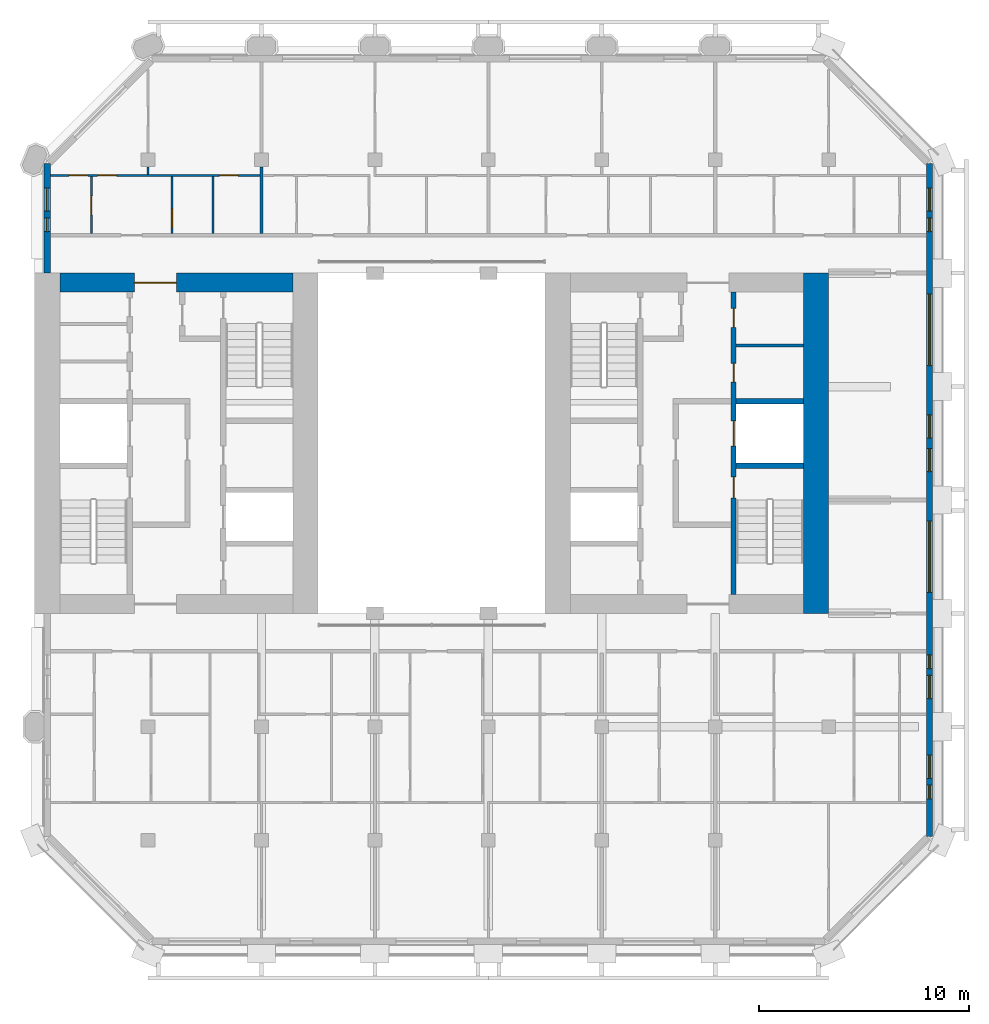
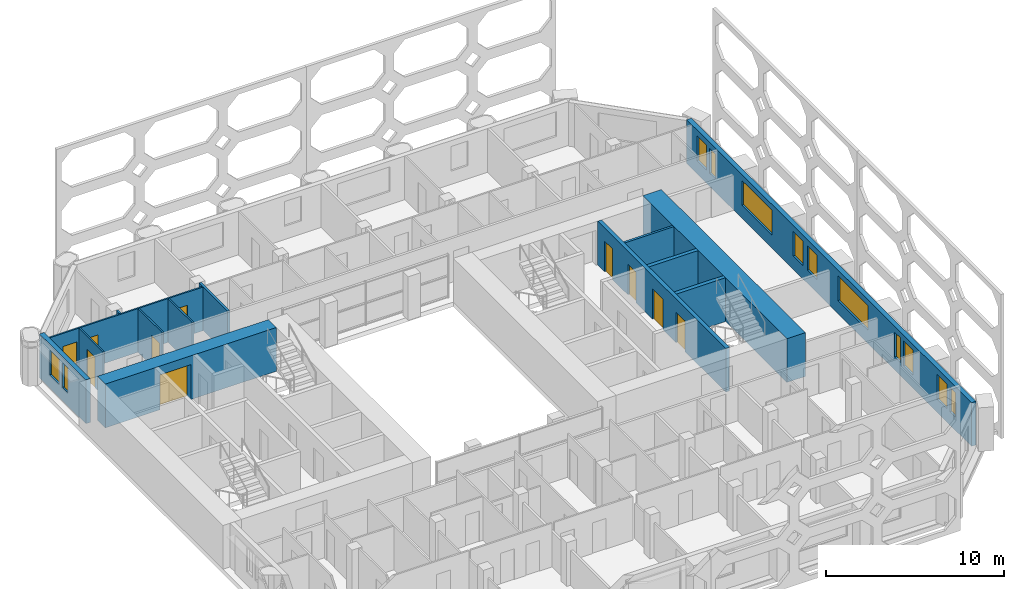
# One storey, part 9 of 15: 14 walls, 12 windows, 10 doors, 22 openings.
"""IFC4 building model written with IfcOpenShell, lengths in metres."""

from ifc_helpers import new_model, si_unit, direction, frame, frame_2d, origin, place, context, subcontext, project, spatial, rectangle, extrude, material, layer, layer_set, type_object, element, fill, save


model = new_model("IFC4")

# Units and contexts
model_context = context("Model", 3, precision=1e-05, world=origin(), true_north=direction((0.0, 1.0)))
body_context = subcontext(model_context, "Body", "Model", "MODEL_VIEW")
ifc_project = project(units=[si_unit("LENGTHUNIT", "METRE"), si_unit("AREAUNIT", "SQUARE_METRE"), si_unit("VOLUMEUNIT", "CUBIC_METRE"), si_unit("PLANEANGLEUNIT", "RADIAN"), si_unit("MASSUNIT", "GRAM", prefix="KILO")], contexts=[model_context])

# Site, building, storey
site_placement = place(None, origin())
site = spatial("IfcSite", under=ifc_project, at=site_placement, CompositionType="ELEMENT")
building_placement = place(site_placement, origin())
building = spatial("IfcBuilding", under=site, at=building_placement, Name="Tabaq Tower and Sports Hall", CompositionType="ELEMENT")
storey_placement = place(building_placement, frame((0.0, 0.0, 278.5)))
storey = spatial("IfcBuildingStorey", under=building, at=storey_placement, Name="L68", CompositionType="ELEMENT", Elevation=278.5)

# Walls
ifc_material_1 = material(Name="Blockwork", Category="masonry")
ifc_layer_1 = layer(ifc_material_1, 0.14990234375)
ifc_layer_set_1 = layer_set([ifc_layer_1], Name="Core room partition 150 Blockwork")
wall_type_1 = type_object("IfcWallType", Name="Core room partition 150 Blockwork", PredefinedType="PARTITIONING", material=ifc_layer_set_1)
wall_1_placement = place(storey_placement, frame((38.800048828125, 28.962890625, 0.0), z_axis=(0.0, 0.0, 1.0), x_axis=(1.0, 0.0, 0.0)))
element("IfcWall", 1, at=wall_1_placement, inside=storey, type_object=wall_type_1, Name="Core room partition E L68", PredefinedType="PARTITIONING", context=body_context, shape_type="SweptSolid", body=[
    extrude(rectangle(XDim=3.199951171875, YDim=0.14990234375, at=frame_2d((1.60009765625, 0.0))), origin(), (0.0, 0.0, 1.0), 3.0),
])
ifc_material_2 = material(Name="Concrete C40/50", Category="concrete")
ifc_layer_2 = layer(ifc_material_2, 1.199951171875)
ifc_layer_set_2 = layer_set([ifc_layer_2], Name="Core wall 1200 Concrete C40/50")
wall_type_2 = type_object("IfcWallType", Name="Core wall 1200 Concrete C40/50", PredefinedType="SOLIDWALL", material=ifc_layer_set_2)
wall_2_placement = place(storey_placement, frame((42.60009765625, 32.39990234375, 0.0), z_axis=(0.0, 0.0, 1.0), x_axis=(0.0, -1.0, 0.0)))
element("IfcWall", 2, at=wall_2_placement, inside=storey, type_object=wall_type_2, Name="Core wall E L68", PredefinedType="SOLIDWALL", context=body_context, shape_type="SweptSolid", body=[
    extrude(rectangle(XDim=16.199951171875, YDim=1.199951171875, at=frame_2d((8.10009765625, 0.0))), origin(), (0.0, 0.0, 1.0), 3.0),
])

# Wall, opening, door
ifc_material_3 = material(Name="Concrete C40/50", Category="concrete")
ifc_layer_3 = layer(ifc_material_3, 0.89990234375)
ifc_layer_set_3 = layer_set([ifc_layer_3], Name="Core wall 900 Concrete C40/50")
wall_type_3 = type_object("IfcWallType", Name="Core wall 900 Concrete C40/50", PredefinedType="SOLIDWALL", material=ifc_layer_set_3)
wall_3_placement = place(storey_placement, frame((6.60009765625, 31.949951171875, 0.0), z_axis=(0.0, 0.0, 1.0), x_axis=(1.0, 0.0, 0.0)))
wall_3 = element("IfcWall", 3, at=wall_3_placement, inside=storey, type_object=wall_type_3, Name="Core wall W L68", PredefinedType="SOLIDWALL", context=body_context, shape_type="SweptSolid", body=[
    extrude(rectangle(XDim=11.099853515625, YDim=0.89990234375, at=frame_2d((5.5498046875, 0.0))), origin(), (0.0, 0.0, 1.0), 3.0),
])
opening_1_placement = place(wall_3_placement, frame((3.550048828125, 0.0, 0.0)))
opening_1 = element("IfcOpeningElement", 4, at=opening_1_placement, cuts=wall_3, Name="Opening PD-WL68-02", PredefinedType="OPENING", context=body_context, shape_type="SweptSolid", body=[
    extrude(rectangle(XDim=2.0, YDim=2.39990234375, at=frame_2d((1.0, 1.199951171875))), frame((0.0, 0.449951171875, 0.0), z_axis=(0.0, -1.0, 0.0), x_axis=(1.0, 0.0, 0.0)), (0.0, 0.0, 1.0), 0.89990234375),
])
ifc_material_4 = material(Name="Steel fire door", Category="steel")
door_type_1 = type_object("IfcDoorType", Name="Core entrance door 2000", OperationType="DOUBLE_DOOR_SINGLE_SWING", PredefinedType="DOOR", material=ifc_material_4)
door_1_placement = place(opening_1_placement, origin())
door_1 = element("IfcDoor", 5, at=door_1_placement, inside=storey, type_object=door_type_1, Name="Core entrance north W L68", OperationType="DOUBLE_DOOR_SINGLE_SWING", OverallHeight=2.39990234375, OverallWidth=2.0, PredefinedType="DOOR", context=body_context, shape_type="SweptSolid", body=[
    extrude(rectangle(XDim=2.0, YDim=2.39990234375, at=frame_2d((1.0, 1.199951171875))), frame((0.0, 0.02490234375, 0.0), z_axis=(0.0, -1.0, 0.0), x_axis=(1.0, 0.0, 0.0)), (0.0, 0.0, 1.0), 0.050048828125),
])
fill(opening_1, door_1)

# Wall
ifc_material_5 = material(Name="Gypsum board on steel studs", Category="steel")
ifc_layer_4 = layer(ifc_material_5, 0.10009765625)
ifc_layer_set_4 = layer_set([ifc_layer_4], Name="Partition 100 Gypsum board")
wall_type_4 = type_object("IfcWallType", Name="Partition 100 Gypsum board", PredefinedType="PARTITIONING", material=ifc_layer_set_4)
wall_4_placement = place(storey_placement, frame((10.800048828125, 37.10009765625, 0.0), z_axis=(0.0, 0.0, 1.0), x_axis=(0.0, 1.0, 0.0)))
element("IfcWall", 6, at=wall_4_placement, inside=storey, type_object=wall_type_4, Name="Partition wall L68", PredefinedType="PARTITIONING", context=body_context, shape_type="SweptSolid", body=[
    extrude(rectangle(XDim=0.35498046875, YDim=0.10009765625, at=frame_2d((0.177490234375, 0.0))), origin(), (0.0, 0.0, 1.0), 3.0),
])

# Wall, openings, doors
wall_5_placement = place(storey_placement, frame((6.15087890625, 37.050048828125, 0.0), z_axis=(0.0, 0.0, 1.0), x_axis=(1.0, 0.0, 0.0)))
wall_5 = element("IfcWall", 7, at=wall_5_placement, inside=storey, type_object=wall_type_4, Name="Partition wall L68", PredefinedType="PARTITIONING", context=body_context, shape_type="SweptSolid", body=[
    extrude(rectangle(XDim=9.97412109375, YDim=0.10009765625, at=frame_2d((4.987060546875, 0.0))), origin(), (0.0, 0.0, 1.0), 3.0),
])
opening_2_placement = place(wall_5_placement, frame((8.0390625, 0.0, 0.0)))
opening_2 = element("IfcOpeningElement", 8, at=opening_2_placement, cuts=wall_5, Name="Opening L68-001", PredefinedType="OPENING", context=body_context, shape_type="SweptSolid", body=[
    extrude(rectangle(XDim=0.89990234375, YDim=2.10009765625, at=frame_2d((0.449951171875, 1.050048828125))), frame((0.0, 0.050048828125, 0.0), z_axis=(0.0, -1.0, 0.0), x_axis=(1.0, 0.0, 0.0)), (0.0, 0.0, 1.0), 0.10009765625),
])
opening_3_placement = place(wall_5_placement, frame((0.87890625, 0.0, 0.0)))
opening_3 = element("IfcOpeningElement", 9, at=opening_3_placement, cuts=wall_5, Name="Opening L68-025", PredefinedType="OPENING", context=body_context, shape_type="SweptSolid", body=[
    extrude(rectangle(XDim=0.89990234375, YDim=2.10009765625, at=frame_2d((0.449951171875, 1.050048828125))), frame((0.0, 0.050048828125, 0.0), z_axis=(0.0, -1.0, 0.0), x_axis=(1.0, 0.0, 0.0)), (0.0, 0.0, 1.0), 0.10009765625),
])
opening_4_placement = place(wall_5_placement, frame((2.2490234375, 0.0, 0.0)))
opening_4 = element("IfcOpeningElement", 10, at=opening_4_placement, cuts=wall_5, Name="Opening L68-050", PredefinedType="OPENING", context=body_context, shape_type="SweptSolid", body=[
    extrude(rectangle(XDim=0.89990234375, YDim=2.10009765625, at=frame_2d((0.449951171875, 1.050048828125))), frame((0.0, 0.050048828125, 0.0), z_axis=(0.0, -1.0, 0.0), x_axis=(1.0, 0.0, 0.0)), (0.0, 0.0, 1.0), 0.10009765625),
])
ifc_material_6 = material(Name="Timber leaf in steel frame", Category="steel")
door_type_2 = type_object("IfcDoorType", Name="Internal door 900 left hand", OperationType="SINGLE_SWING_LEFT", PredefinedType="DOOR", material=ifc_material_6)
door_2_placement = place(opening_2_placement, origin())
door_2 = element("IfcDoor", 11, at=door_2_placement, inside=storey, type_object=door_type_2, Name="Internal door L68-001", OperationType="SINGLE_SWING_LEFT", OverallHeight=2.10009765625, OverallWidth=0.89990234375, PredefinedType="DOOR", context=body_context, shape_type="SweptSolid", body=[
    extrude(rectangle(XDim=0.89990234375, YDim=2.10009765625, at=frame_2d((0.449951171875, 1.050048828125))), frame((0.0, 0.02490234375, 0.0), z_axis=(0.0, -1.0, 0.0), x_axis=(1.0, 0.0, 0.0)), (0.0, 0.0, 1.0), 0.050048828125),
])
fill(opening_2, door_2)
door_3_placement = place(opening_4_placement, origin())
door_3 = element("IfcDoor", 12, at=door_3_placement, inside=storey, type_object=door_type_2, Name="Internal door L68-050", OperationType="SINGLE_SWING_LEFT", OverallHeight=2.10009765625, OverallWidth=0.89990234375, PredefinedType="DOOR", context=body_context, shape_type="SweptSolid", body=[
    extrude(rectangle(XDim=0.89990234375, YDim=2.10009765625, at=frame_2d((0.449951171875, 1.050048828125))), frame((0.0, 0.02490234375, 0.0), z_axis=(0.0, -1.0, 0.0), x_axis=(1.0, 0.0, 0.0)), (0.0, 0.0, 1.0), 0.050048828125),
])
fill(opening_4, door_3)
ifc_material_7 = material(Name="Timber leaf in steel frame", Category="steel")
door_type_3 = type_object("IfcDoorType", Name="Internal door 900 right hand", OperationType="SINGLE_SWING_RIGHT", PredefinedType="DOOR", material=ifc_material_7)
door_4_placement = place(opening_3_placement, origin())
door_4 = element("IfcDoor", 13, at=door_4_placement, inside=storey, type_object=door_type_3, Name="Internal door L68-025", OperationType="SINGLE_SWING_RIGHT", OverallHeight=2.10009765625, OverallWidth=0.89990234375, PredefinedType="DOOR", context=body_context, shape_type="SweptSolid", body=[
    extrude(rectangle(XDim=0.89990234375, YDim=2.10009765625, at=frame_2d((0.449951171875, 1.050048828125))), frame((0.0, 0.02490234375, 0.0), z_axis=(0.0, -1.0, 0.0), x_axis=(1.0, 0.0, 0.0)), (0.0, 0.0, 1.0), 0.050048828125),
])
fill(opening_3, door_4)

# Wall, opening, door
wall_6_placement = place(storey_placement, frame((8.10009765625, 34.27490234375, 0.0), z_axis=(0.0, 0.0, 1.0), x_axis=(0.0, 1.0, 0.0)))
wall_6 = element("IfcWall", 14, at=wall_6_placement, inside=storey, type_object=wall_type_4, Name="Partition wall L68", PredefinedType="PARTITIONING", context=body_context, shape_type="SweptSolid", body=[
    extrude(rectangle(XDim=2.72509765625, YDim=0.10009765625, at=frame_2d((1.362548828125, 0.0))), origin(), (0.0, 0.0, 1.0), 3.0),
])
opening_5_placement = place(wall_6_placement, frame((0.89990234375, 0.0, 0.0)))
opening_5 = element("IfcOpeningElement", 15, at=opening_5_placement, cuts=wall_6, Name="Opening L68-026", PredefinedType="OPENING", context=body_context, shape_type="SweptSolid", body=[
    extrude(rectangle(XDim=0.89990234375, YDim=2.10009765625, at=frame_2d((0.449951171875, 1.050048828125))), frame((0.0, 0.050048828125, 0.0), z_axis=(0.0, -1.0, 0.0), x_axis=(1.0, 0.0, 0.0)), (0.0, 0.0, 1.0), 0.10009765625),
])
door_5_placement = place(opening_5_placement, origin())
door_5 = element("IfcDoor", 16, at=door_5_placement, inside=storey, type_object=door_type_2, Name="Internal door L68-026", OperationType="SINGLE_SWING_LEFT", OverallHeight=2.10009765625, OverallWidth=0.89990234375, PredefinedType="DOOR", context=body_context, shape_type="SweptSolid", body=[
    extrude(rectangle(XDim=0.89990234375, YDim=2.10009765625, at=frame_2d((0.449951171875, 1.050048828125))), frame((0.0, 0.02490234375, 0.0), z_axis=(0.0, -1.0, 0.0), x_axis=(1.0, 0.0, 0.0)), (0.0, 0.0, 1.0), 0.050048828125),
])
fill(opening_5, door_5)

wall_7_placement = place(storey_placement, frame((11.93994140625, 34.27490234375, 0.0), z_axis=(0.0, 0.0, 1.0), x_axis=(0.0, 1.0, 0.0)))
wall_7 = element("IfcWall", 17, at=wall_7_placement, inside=storey, type_object=wall_type_4, Name="Partition wall L68", PredefinedType="PARTITIONING", context=body_context, shape_type="SweptSolid", body=[
    extrude(rectangle(XDim=2.72509765625, YDim=0.10009765625, at=frame_2d((1.362548828125, 0.0))), origin(), (0.0, 0.0, 1.0), 3.0),
])
opening_6_placement = place(wall_7_placement, frame((0.281005859375, 0.0, 0.0)))
opening_6 = element("IfcOpeningElement", 18, at=opening_6_placement, cuts=wall_7, Name="Opening L68-002", PredefinedType="OPENING", context=body_context, shape_type="SweptSolid", body=[
    extrude(rectangle(XDim=0.89990234375, YDim=2.10009765625, at=frame_2d((0.449951171875, 1.050048828125))), frame((0.0, 0.050048828125, 0.0), z_axis=(0.0, -1.0, 0.0), x_axis=(1.0, 0.0, 0.0)), (0.0, 0.0, 1.0), 0.10009765625),
])
door_6_placement = place(opening_6_placement, origin())
door_6 = element("IfcDoor", 19, at=door_6_placement, inside=storey, type_object=door_type_2, Name="Internal door L68-002", OperationType="SINGLE_SWING_LEFT", OverallHeight=2.10009765625, OverallWidth=0.89990234375, PredefinedType="DOOR", context=body_context, shape_type="SweptSolid", body=[
    extrude(rectangle(XDim=0.89990234375, YDim=2.10009765625, at=frame_2d((0.449951171875, 1.050048828125))), frame((0.0, 0.02490234375, 0.0), z_axis=(0.0, -1.0, 0.0), x_axis=(1.0, 0.0, 0.0)), (0.0, 0.0, 1.0), 0.050048828125),
])
fill(opening_6, door_6)

# Walls
wall_8_placement = place(storey_placement, frame((13.889892578125, 34.27490234375, 0.0), z_axis=(0.0, 0.0, 1.0), x_axis=(0.0, 1.0, 0.0)))
element("IfcWall", 20, at=wall_8_placement, inside=storey, type_object=wall_type_4, Name="Partition wall L68", PredefinedType="PARTITIONING", context=body_context, shape_type="SweptSolid", body=[
    extrude(rectangle(XDim=2.72509765625, YDim=0.10009765625, at=frame_2d((1.362548828125, 0.0))), origin(), (0.0, 0.0, 1.0), 3.0),
])
ifc_material_8 = material(Name="Blockwork", Category="masonry")
ifc_layer_5 = layer(ifc_material_8, 0.14990234375)
ifc_layer_set_5 = layer_set([ifc_layer_5], Name="Separating wall 150 Blockwork")
wall_type_5 = type_object("IfcWallType", Name="Separating wall 150 Blockwork", PredefinedType="PARTITIONING", material=ifc_layer_set_5)
wall_9_placement = place(storey_placement, frame((16.199951171875, 34.27490234375, 0.0), z_axis=(0.0, 0.0, 1.0), x_axis=(0.0, 1.0, 0.0)))
element("IfcWall", 21, at=wall_9_placement, inside=storey, type_object=wall_type_5, Name="Separating wall L68", PredefinedType="PARTITIONING", context=body_context, shape_type="SweptSolid", body=[
    extrude(rectangle(XDim=3.18017578125, YDim=0.14990234375, at=frame_2d((1.590087890625, 0.0))), origin(), (0.0, 0.0, 1.0), 3.0),
])

# Wall, openings, doors
ifc_material_9 = material(Name="Concrete C40/50", Category="concrete")
ifc_layer_6 = layer(ifc_material_9, 0.25)
ifc_layer_set_6 = layer_set([ifc_layer_6], Name="Shaft and stair wall 250 Concrete C40/50")
wall_type_6 = type_object("IfcWallType", Name="Shaft and stair wall 250 Concrete C40/50", PredefinedType="SOLIDWALL", material=ifc_layer_set_6)
wall_10_placement = place(storey_placement, frame((38.675048828125, 17.10009765625, 0.0), z_axis=(0.0, 0.0, 1.0), x_axis=(0.0, 1.0, 0.0)))
wall_10 = element("IfcWall", 22, at=wall_10_placement, inside=storey, type_object=wall_type_6, Name="Shaft wall E L68", PredefinedType="SOLIDWALL", context=body_context, shape_type="SweptSolid", body=[
    extrude(rectangle(XDim=14.39990234375, YDim=0.25, at=frame_2d((7.199951171875, 0.0))), origin(), (0.0, 0.0, 1.0), 3.0),
])
opening_7_placement = place(wall_10_placement, frame((4.60009765625, 0.0, 0.0)))
opening_7 = element("IfcOpeningElement", 23, at=opening_7_placement, cuts=wall_10, Name="Opening SD-EL68-03", PredefinedType="OPENING", context=body_context, shape_type="SweptSolid", body=[
    extrude(rectangle(XDim=1.0, YDim=2.10009765625, at=frame_2d((0.5, 1.050048828125))), frame((0.0, 0.125, 0.0), z_axis=(0.0, -1.0, 0.0), x_axis=(1.0, 0.0, 0.0)), (0.0, 0.0, 1.0), 0.25),
])
opening_8_placement = place(wall_10_placement, frame((7.0625, 0.0, 0.0)))
opening_8 = element("IfcOpeningElement", 24, at=opening_8_placement, cuts=wall_10, Name="Opening LD-FF2-L68", PredefinedType="OPENING", context=body_context, shape_type="SweptSolid", body=[
    extrude(rectangle(XDim=1.199951171875, YDim=2.10009765625, at=frame_2d((0.60009765625, 1.050048828125))), frame((0.0, 0.125, 0.0), z_axis=(0.0, -1.0, 0.0), x_axis=(1.0, 0.0, 0.0)), (0.0, 0.0, 1.0), 0.25),
])
opening_9_placement = place(wall_10_placement, frame((10.1064453125, 0.0, 0.0)))
opening_9 = element("IfcOpeningElement", 25, at=opening_9_placement, cuts=wall_10, Name="Opening RD-EL68-09", PredefinedType="OPENING", context=body_context, shape_type="SweptSolid", body=[
    extrude(rectangle(XDim=0.89990234375, YDim=2.10009765625, at=frame_2d((0.449951171875, 1.050048828125))), frame((0.0, 0.125, 0.0), z_axis=(0.0, -1.0, 0.0), x_axis=(1.0, 0.0, 0.0)), (0.0, 0.0, 1.0), 0.25),
])
opening_10_placement = place(wall_10_placement, frame((12.718994140625, 0.0, 0.0)))
opening_10 = element("IfcOpeningElement", 26, at=opening_10_placement, cuts=wall_10, Name="Opening RD-EL68-10", PredefinedType="OPENING", context=body_context, shape_type="SweptSolid", body=[
    extrude(rectangle(XDim=0.89990234375, YDim=2.10009765625, at=frame_2d((0.449951171875, 1.050048828125))), frame((0.0, 0.125, 0.0), z_axis=(0.0, -1.0, 0.0), x_axis=(1.0, 0.0, 0.0)), (0.0, 0.0, 1.0), 0.25),
])
ifc_material_10 = material(Name="Steel fire door", Category="steel")
door_type_4 = type_object("IfcDoorType", Name="Core room door 900", OperationType="SINGLE_SWING_LEFT", PredefinedType="DOOR", material=ifc_material_10)
door_7_placement = place(opening_9_placement, origin())
door_7 = element("IfcDoor", 27, at=door_7_placement, inside=storey, type_object=door_type_4, Name="Door Housekeeping Store E L68", OperationType="SINGLE_SWING_LEFT", OverallHeight=2.10009765625, OverallWidth=0.89990234375, PredefinedType="DOOR", context=body_context, shape_type="SweptSolid", body=[
    extrude(rectangle(XDim=0.89990234375, YDim=2.10009765625, at=frame_2d((0.449951171875, 1.050048828125))), frame((0.0, 0.02490234375, 0.0), z_axis=(0.0, -1.0, 0.0), x_axis=(1.0, 0.0, 0.0)), (0.0, 0.0, 1.0), 0.050048828125),
])
fill(opening_9, door_7)
door_8_placement = place(opening_10_placement, origin())
door_8 = element("IfcDoor", 28, at=door_8_placement, inside=storey, type_object=door_type_4, Name="Door Riser Room E L68", OperationType="SINGLE_SWING_LEFT", OverallHeight=2.10009765625, OverallWidth=0.89990234375, PredefinedType="DOOR", context=body_context, shape_type="SweptSolid", body=[
    extrude(rectangle(XDim=0.89990234375, YDim=2.10009765625, at=frame_2d((0.449951171875, 1.050048828125))), frame((0.0, 0.02490234375, 0.0), z_axis=(0.0, -1.0, 0.0), x_axis=(1.0, 0.0, 0.0)), (0.0, 0.0, 1.0), 0.050048828125),
])
fill(opening_10, door_8)
ifc_material_11 = material(Name="Stainless steel", Category="steel")
door_type_5 = type_object("IfcDoorType", Name="Lift landing door 1200", OperationType="DOUBLE_DOOR_SLIDING", PredefinedType="DOOR", material=ifc_material_11)
door_9_placement = place(opening_8_placement, origin())
door_9 = element("IfcDoor", 29, at=door_9_placement, inside=storey, type_object=door_type_5, Name="Lift landing door FF2 E L68", OperationType="DOUBLE_DOOR_SLIDING", OverallHeight=2.10009765625, OverallWidth=1.199951171875, PredefinedType="DOOR", context=body_context, shape_type="SweptSolid", body=[
    extrude(rectangle(XDim=1.199951171875, YDim=2.10009765625, at=frame_2d((0.60009765625, 1.050048828125))), frame((0.0, 0.02490234375, 0.0), z_axis=(0.0, -1.0, 0.0), x_axis=(1.0, 0.0, 0.0)), (0.0, 0.0, 1.0), 0.050048828125),
])
fill(opening_8, door_9)
ifc_material_12 = material(Name="Steel fire door", Category="steel")
door_type_6 = type_object("IfcDoorType", Name="Stair door 1000", OperationType="SINGLE_SWING_LEFT", PredefinedType="DOOR", material=ifc_material_12)
door_10_placement = place(opening_7_placement, origin())
door_10 = element("IfcDoor", 30, at=door_10_placement, inside=storey, type_object=door_type_6, Name="Stair door ST3 E L68", OperationType="SINGLE_SWING_LEFT", OverallHeight=2.10009765625, OverallWidth=1.0, PredefinedType="DOOR", context=body_context, shape_type="SweptSolid", body=[
    extrude(rectangle(XDim=1.0, YDim=2.10009765625, at=frame_2d((0.5, 1.050048828125))), frame((0.0, 0.02490234375, 0.0), z_axis=(0.0, -1.0, 0.0), x_axis=(1.0, 0.0, 0.0)), (0.0, 0.0, 1.0), 0.050048828125),
])
fill(opening_7, door_10)

# Walls
for number, where, z_axis, x_axis, name in (
    (31, (38.800048828125, 23.22509765625, 0.0), (0.0, 0.0, 1.0), (1.0, 0.0, 0.0), "Stair enclosure wall E L68"),
    (32, (38.800048828125, 26.300048828125, 0.0), (0.0, 0.0, 1.0), (1.0, 0.0, 0.0), "Shaft wall E L68"),
):
    element("IfcWall", number, at=place(storey_placement, frame(where, z_axis=z_axis, x_axis=x_axis)), inside=storey, type_object=wall_type_6, Name=name, PredefinedType="SOLIDWALL", context=body_context, shape_type="SweptSolid", body=[
        extrude(rectangle(XDim=3.199951171875, YDim=0.25, at=frame_2d((1.60009765625, 0.0))), origin(), (0.0, 0.0, 1.0), 3.0),
    ])

# Wall, openings, windows
ifc_material_13 = material(Name="White precast concrete C60/75", Category="concrete")
ifc_layer_7 = layer(ifc_material_13, 0.300048828125)
ifc_layer_set_7 = layer_set([ifc_layer_7], Name="White precast concrete C60/75 external wall 300")
wall_type_7 = type_object("IfcWallType", Name="White precast concrete C60/75 external wall 300", PredefinedType="SOLIDWALL", material=ifc_layer_set_7)
wall_11_placement = place(storey_placement, frame((48.0, 5.58642578125, 0.0), z_axis=(0.0, 0.0, 1.0), x_axis=(0.0, 1.0, 0.0)))
wall_11 = element("IfcWall", 33, at=wall_11_placement, inside=storey, type_object=wall_type_7, Name="External Wall L68 E", PredefinedType="SOLIDWALL", context=body_context, shape_type="SweptSolid", body=[
    extrude(rectangle(XDim=32.027099609375, YDim=0.300048828125, at=frame_2d((16.013671875, 0.0))), origin(), (0.0, 0.0, 1.0), 3.0),
])
opening_11_placement = place(wall_11_placement, frame((1.78857421875, 0.0, 0.89990234375)))
opening_11 = element("IfcOpeningElement", 34, at=opening_11_placement, cuts=wall_11, Name="Opening W1C", PredefinedType="OPENING", context=body_context, shape_type="SweptSolid", body=[
    extrude(rectangle(XDim=0.64990234375, YDim=1.699951171875, at=frame_2d((0.324951171875, 0.85009765625))), frame((0.0, 0.16015625, 0.0), z_axis=(0.0, -1.0, 0.0), x_axis=(1.0, 0.0, 0.0)), (0.0, 0.0, 1.0), 0.320068359375),
])
opening_12_placement = place(wall_11_placement, frame((2.763671875, 0.0, 0.89990234375)))
opening_12 = element("IfcOpeningElement", 35, at=opening_12_placement, cuts=wall_11, Name="Opening W1B", PredefinedType="OPENING", context=body_context, shape_type="SweptSolid", body=[
    extrude(rectangle(XDim=1.10009765625, YDim=1.699951171875, at=frame_2d((0.550048828125, 0.85009765625))), frame((0.0, 0.16015625, 0.0), z_axis=(0.0, -1.0, 0.0), x_axis=(1.0, 0.0, 0.0)), (0.0, 0.0, 1.0), 0.320068359375),
])
opening_13_placement = place(wall_11_placement, frame((6.563720703125, 0.0, 0.89990234375)))
opening_13 = element("IfcOpeningElement", 36, at=opening_13_placement, cuts=wall_11, Name="Opening W1B", PredefinedType="OPENING", context=body_context, shape_type="SweptSolid", body=[
    extrude(rectangle(XDim=1.10009765625, YDim=1.699951171875, at=frame_2d((0.550048828125, 0.85009765625))), frame((0.0, 0.16015625, 0.0), z_axis=(0.0, -1.0, 0.0), x_axis=(1.0, 0.0, 0.0)), (0.0, 0.0, 1.0), 0.320068359375),
])
opening_14_placement = place(wall_11_placement, frame((7.988525390625, 0.0, 0.89990234375)))
opening_14 = element("IfcOpeningElement", 37, at=opening_14_placement, cuts=wall_11, Name="Opening W1C", PredefinedType="OPENING", context=body_context, shape_type="SweptSolid", body=[
    extrude(rectangle(XDim=0.64990234375, YDim=1.699951171875, at=frame_2d((0.324951171875, 0.85009765625))), frame((0.0, 0.16015625, 0.0), z_axis=(0.0, -1.0, 0.0), x_axis=(1.0, 0.0, 0.0)), (0.0, 0.0, 1.0), 0.320068359375),
])
opening_15_placement = place(wall_11_placement, frame((11.613525390625, 0.0, 0.89990234375)))
opening_15 = element("IfcOpeningElement", 38, at=opening_15_placement, cuts=wall_11, Name="Opening W1A", PredefinedType="OPENING", context=body_context, shape_type="SweptSolid", body=[
    extrude(rectangle(XDim=3.39990234375, YDim=1.699951171875, at=frame_2d((1.699951171875, 0.85009765625))), frame((0.0, 0.16015625, 0.0), z_axis=(0.0, -1.0, 0.0), x_axis=(1.0, 0.0, 0.0)), (0.0, 0.0, 1.0), 0.320068359375),
])
opening_16_placement = place(wall_11_placement, frame((17.363525390625, 0.0, 0.89990234375)))
opening_16 = element("IfcOpeningElement", 39, at=opening_16_placement, cuts=wall_11, Name="Opening W1B", PredefinedType="OPENING", context=body_context, shape_type="SweptSolid", body=[
    extrude(rectangle(XDim=1.10009765625, YDim=1.699951171875, at=frame_2d((0.550048828125, 0.85009765625))), frame((0.0, 0.16015625, 0.0), z_axis=(0.0, -1.0, 0.0), x_axis=(1.0, 0.0, 0.0)), (0.0, 0.0, 1.0), 0.320068359375),
])
opening_17_placement = place(wall_11_placement, frame((18.963623046875, 0.0, 0.89990234375)))
opening_17 = element("IfcOpeningElement", 40, at=opening_17_placement, cuts=wall_11, Name="Opening W1B", PredefinedType="OPENING", context=body_context, shape_type="SweptSolid", body=[
    extrude(rectangle(XDim=1.10009765625, YDim=1.699951171875, at=frame_2d((0.550048828125, 0.85009765625))), frame((0.0, 0.16015625, 0.0), z_axis=(0.0, -1.0, 0.0), x_axis=(1.0, 0.0, 0.0)), (0.0, 0.0, 1.0), 0.320068359375),
])
opening_18_placement = place(wall_11_placement, frame((22.41357421875, 0.0, 0.89990234375)))
opening_18 = element("IfcOpeningElement", 41, at=opening_18_placement, cuts=wall_11, Name="Opening W1A", PredefinedType="OPENING", context=body_context, shape_type="SweptSolid", body=[
    extrude(rectangle(XDim=3.39990234375, YDim=1.699951171875, at=frame_2d((1.699951171875, 0.85009765625))), frame((0.0, 0.16015625, 0.0), z_axis=(0.0, -1.0, 0.0), x_axis=(1.0, 0.0, 0.0)), (0.0, 0.0, 1.0), 0.320068359375),
])
opening_19_placement = place(wall_11_placement, frame((28.78857421875, 0.0, 0.89990234375)))
opening_19 = element("IfcOpeningElement", 42, at=opening_19_placement, cuts=wall_11, Name="Opening W1C", PredefinedType="OPENING", context=body_context, shape_type="SweptSolid", body=[
    extrude(rectangle(XDim=0.64990234375, YDim=1.699951171875, at=frame_2d((0.324951171875, 0.85009765625))), frame((0.0, 0.16015625, 0.0), z_axis=(0.0, -1.0, 0.0), x_axis=(1.0, 0.0, 0.0)), (0.0, 0.0, 1.0), 0.320068359375),
])
opening_20_placement = place(wall_11_placement, frame((29.763671875, 0.0, 0.89990234375)))
opening_20 = element("IfcOpeningElement", 43, at=opening_20_placement, cuts=wall_11, Name="Opening W1B", PredefinedType="OPENING", context=body_context, shape_type="SweptSolid", body=[
    extrude(rectangle(XDim=1.10009765625, YDim=1.699951171875, at=frame_2d((0.550048828125, 0.85009765625))), frame((0.0, 0.16015625, 0.0), z_axis=(0.0, -1.0, 0.0), x_axis=(1.0, 0.0, 0.0)), (0.0, 0.0, 1.0), 0.320068359375),
])
ifc_material_14 = material(Name="Aluminium framed clear glazing", Category="aluminium")
window_type_1 = type_object("IfcWindowType", Name="Window W1A", PartitioningType="SINGLE_PANEL", PredefinedType="WINDOW", material=ifc_material_14)
window_1_placement = place(opening_15_placement, origin())
window_1 = element("IfcWindow", 44, at=window_1_placement, inside=storey, type_object=window_type_1, Name="Window W1A L68", OverallHeight=1.699951171875, OverallWidth=3.39990234375, PartitioningType="SINGLE_PANEL", PredefinedType="WINDOW", context=body_context, shape_type="SweptSolid", body=[
    extrude(rectangle(XDim=3.39990234375, YDim=1.699951171875, at=frame_2d((1.699951171875, 0.85009765625))), frame((0.0, 0.030029296875, 0.0), z_axis=(0.0, -1.0, 0.0), x_axis=(1.0, 0.0, 0.0)), (0.0, 0.0, 1.0), 0.06005859375),
])
fill(opening_15, window_1)
window_2_placement = place(opening_18_placement, origin())
window_2 = element("IfcWindow", 45, at=window_2_placement, inside=storey, type_object=window_type_1, Name="Window W1A L68", OverallHeight=1.699951171875, OverallWidth=3.39990234375, PartitioningType="SINGLE_PANEL", PredefinedType="WINDOW", context=body_context, shape_type="SweptSolid", body=[
    extrude(rectangle(XDim=3.39990234375, YDim=1.699951171875, at=frame_2d((1.699951171875, 0.85009765625))), frame((0.0, 0.030029296875, 0.0), z_axis=(0.0, -1.0, 0.0), x_axis=(1.0, 0.0, 0.0)), (0.0, 0.0, 1.0), 0.06005859375),
])
fill(opening_18, window_2)
ifc_material_15 = material(Name="Aluminium framed clear glazing", Category="aluminium")
window_type_2 = type_object("IfcWindowType", Name="Window W1B", PartitioningType="SINGLE_PANEL", PredefinedType="WINDOW", material=ifc_material_15)
window_3_placement = place(opening_12_placement, origin())
window_3 = element("IfcWindow", 46, at=window_3_placement, inside=storey, type_object=window_type_2, Name="Window W1B L68", OverallHeight=1.699951171875, OverallWidth=1.10009765625, PartitioningType="SINGLE_PANEL", PredefinedType="WINDOW", context=body_context, shape_type="SweptSolid", body=[
    extrude(rectangle(XDim=1.10009765625, YDim=1.699951171875, at=frame_2d((0.550048828125, 0.85009765625))), frame((0.0, 0.030029296875, 0.0), z_axis=(0.0, -1.0, 0.0), x_axis=(1.0, 0.0, 0.0)), (0.0, 0.0, 1.0), 0.06005859375),
])
fill(opening_12, window_3)
window_4_placement = place(opening_13_placement, origin())
window_4 = element("IfcWindow", 47, at=window_4_placement, inside=storey, type_object=window_type_2, Name="Window W1B L68", OverallHeight=1.699951171875, OverallWidth=1.10009765625, PartitioningType="SINGLE_PANEL", PredefinedType="WINDOW", context=body_context, shape_type="SweptSolid", body=[
    extrude(rectangle(XDim=1.10009765625, YDim=1.699951171875, at=frame_2d((0.550048828125, 0.85009765625))), frame((0.0, 0.030029296875, 0.0), z_axis=(0.0, -1.0, 0.0), x_axis=(1.0, 0.0, 0.0)), (0.0, 0.0, 1.0), 0.06005859375),
])
fill(opening_13, window_4)
window_5_placement = place(opening_16_placement, origin())
window_5 = element("IfcWindow", 48, at=window_5_placement, inside=storey, type_object=window_type_2, Name="Window W1B L68", OverallHeight=1.699951171875, OverallWidth=1.10009765625, PartitioningType="SINGLE_PANEL", PredefinedType="WINDOW", context=body_context, shape_type="SweptSolid", body=[
    extrude(rectangle(XDim=1.10009765625, YDim=1.699951171875, at=frame_2d((0.550048828125, 0.85009765625))), frame((0.0, 0.030029296875, 0.0), z_axis=(0.0, -1.0, 0.0), x_axis=(1.0, 0.0, 0.0)), (0.0, 0.0, 1.0), 0.06005859375),
])
fill(opening_16, window_5)
window_6_placement = place(opening_17_placement, origin())
window_6 = element("IfcWindow", 49, at=window_6_placement, inside=storey, type_object=window_type_2, Name="Window W1B L68", OverallHeight=1.699951171875, OverallWidth=1.10009765625, PartitioningType="SINGLE_PANEL", PredefinedType="WINDOW", context=body_context, shape_type="SweptSolid", body=[
    extrude(rectangle(XDim=1.10009765625, YDim=1.699951171875, at=frame_2d((0.550048828125, 0.85009765625))), frame((0.0, 0.030029296875, 0.0), z_axis=(0.0, -1.0, 0.0), x_axis=(1.0, 0.0, 0.0)), (0.0, 0.0, 1.0), 0.06005859375),
])
fill(opening_17, window_6)
window_7_placement = place(opening_20_placement, origin())
window_7 = element("IfcWindow", 50, at=window_7_placement, inside=storey, type_object=window_type_2, Name="Window W1B L68", OverallHeight=1.699951171875, OverallWidth=1.10009765625, PartitioningType="SINGLE_PANEL", PredefinedType="WINDOW", context=body_context, shape_type="SweptSolid", body=[
    extrude(rectangle(XDim=1.10009765625, YDim=1.699951171875, at=frame_2d((0.550048828125, 0.85009765625))), frame((0.0, 0.030029296875, 0.0), z_axis=(0.0, -1.0, 0.0), x_axis=(1.0, 0.0, 0.0)), (0.0, 0.0, 1.0), 0.06005859375),
])
fill(opening_20, window_7)
ifc_material_16 = material(Name="Aluminium framed clear glazing", Category="aluminium")
window_type_3 = type_object("IfcWindowType", Name="Window W1C", PartitioningType="SINGLE_PANEL", PredefinedType="WINDOW", material=ifc_material_16)
window_8_placement = place(opening_11_placement, origin())
window_8 = element("IfcWindow", 51, at=window_8_placement, inside=storey, type_object=window_type_3, Name="Window W1C L68", OverallHeight=1.699951171875, OverallWidth=0.64990234375, PartitioningType="SINGLE_PANEL", PredefinedType="WINDOW", context=body_context, shape_type="SweptSolid", body=[
    extrude(rectangle(XDim=0.64990234375, YDim=1.699951171875, at=frame_2d((0.324951171875, 0.85009765625))), frame((0.0, 0.030029296875, 0.0), z_axis=(0.0, -1.0, 0.0), x_axis=(1.0, 0.0, 0.0)), (0.0, 0.0, 1.0), 0.06005859375),
])
fill(opening_11, window_8)
window_9_placement = place(opening_14_placement, origin())
window_9 = element("IfcWindow", 52, at=window_9_placement, inside=storey, type_object=window_type_3, Name="Window W1C L68", OverallHeight=1.699951171875, OverallWidth=0.64990234375, PartitioningType="SINGLE_PANEL", PredefinedType="WINDOW", context=body_context, shape_type="SweptSolid", body=[
    extrude(rectangle(XDim=0.64990234375, YDim=1.699951171875, at=frame_2d((0.324951171875, 0.85009765625))), frame((0.0, 0.030029296875, 0.0), z_axis=(0.0, -1.0, 0.0), x_axis=(1.0, 0.0, 0.0)), (0.0, 0.0, 1.0), 0.06005859375),
])
fill(opening_14, window_9)
window_10_placement = place(opening_19_placement, origin())
window_10 = element("IfcWindow", 53, at=window_10_placement, inside=storey, type_object=window_type_3, Name="Window W1C L68", OverallHeight=1.699951171875, OverallWidth=0.64990234375, PartitioningType="SINGLE_PANEL", PredefinedType="WINDOW", context=body_context, shape_type="SweptSolid", body=[
    extrude(rectangle(XDim=0.64990234375, YDim=1.699951171875, at=frame_2d((0.324951171875, 0.85009765625))), frame((0.0, 0.030029296875, 0.0), z_axis=(0.0, -1.0, 0.0), x_axis=(1.0, 0.0, 0.0)), (0.0, 0.0, 1.0), 0.06005859375),
])
fill(opening_19, window_10)

wall_12_placement = place(storey_placement, frame((6.0, 37.613525390625, 0.0), z_axis=(0.0, 0.0, 1.0), x_axis=(0.0, -1.0, 0.0)))
wall_12 = element("IfcWall", 54, at=wall_12_placement, inside=storey, type_object=wall_type_7, Name="External Wall L68 W", PredefinedType="SOLIDWALL", context=body_context, shape_type="SweptSolid", body=[
    extrude(rectangle(XDim=5.213623046875, YDim=0.300048828125, at=frame_2d((2.60693359375, 0.0))), origin(), (0.0, 0.0, 1.0), 3.0),
])
opening_21_placement = place(wall_12_placement, frame((1.16357421875, 0.0, 0.89990234375)))
opening_21 = element("IfcOpeningElement", 55, at=opening_21_placement, cuts=wall_12, Name="Opening W1B", PredefinedType="OPENING", context=body_context, shape_type="SweptSolid", body=[
    extrude(rectangle(XDim=1.10009765625, YDim=1.699951171875, at=frame_2d((0.550048828125, 0.85009765625))), frame((0.0, 0.16015625, 0.0), z_axis=(0.0, -1.0, 0.0), x_axis=(1.0, 0.0, 0.0)), (0.0, 0.0, 1.0), 0.320068359375),
])
opening_22_placement = place(wall_12_placement, frame((2.588623046875, 0.0, 0.89990234375)))
opening_22 = element("IfcOpeningElement", 56, at=opening_22_placement, cuts=wall_12, Name="Opening W1C", PredefinedType="OPENING", context=body_context, shape_type="SweptSolid", body=[
    extrude(rectangle(XDim=0.64990234375, YDim=1.699951171875, at=frame_2d((0.324951171875, 0.85009765625))), frame((0.0, 0.16015625, 0.0), z_axis=(0.0, -1.0, 0.0), x_axis=(1.0, 0.0, 0.0)), (0.0, 0.0, 1.0), 0.320068359375),
])
window_11_placement = place(opening_21_placement, origin())
window_11 = element("IfcWindow", 57, at=window_11_placement, inside=storey, type_object=window_type_2, Name="Window W1B L68", OverallHeight=1.699951171875, OverallWidth=1.10009765625, PartitioningType="SINGLE_PANEL", PredefinedType="WINDOW", context=body_context, shape_type="SweptSolid", body=[
    extrude(rectangle(XDim=1.10009765625, YDim=1.699951171875, at=frame_2d((0.550048828125, 0.85009765625))), frame((0.0, 0.030029296875, 0.0), z_axis=(0.0, -1.0, 0.0), x_axis=(1.0, 0.0, 0.0)), (0.0, 0.0, 1.0), 0.06005859375),
])
fill(opening_21, window_11)
window_12_placement = place(opening_22_placement, origin())
window_12 = element("IfcWindow", 58, at=window_12_placement, inside=storey, type_object=window_type_3, Name="Window W1C L68", OverallHeight=1.699951171875, OverallWidth=0.64990234375, PartitioningType="SINGLE_PANEL", PredefinedType="WINDOW", context=body_context, shape_type="SweptSolid", body=[
    extrude(rectangle(XDim=0.64990234375, YDim=1.699951171875, at=frame_2d((0.324951171875, 0.85009765625))), frame((0.0, 0.030029296875, 0.0), z_axis=(0.0, -1.0, 0.0), x_axis=(1.0, 0.0, 0.0)), (0.0, 0.0, 1.0), 0.06005859375),
])
fill(opening_22, window_12)

save(model, "model.ifc")
